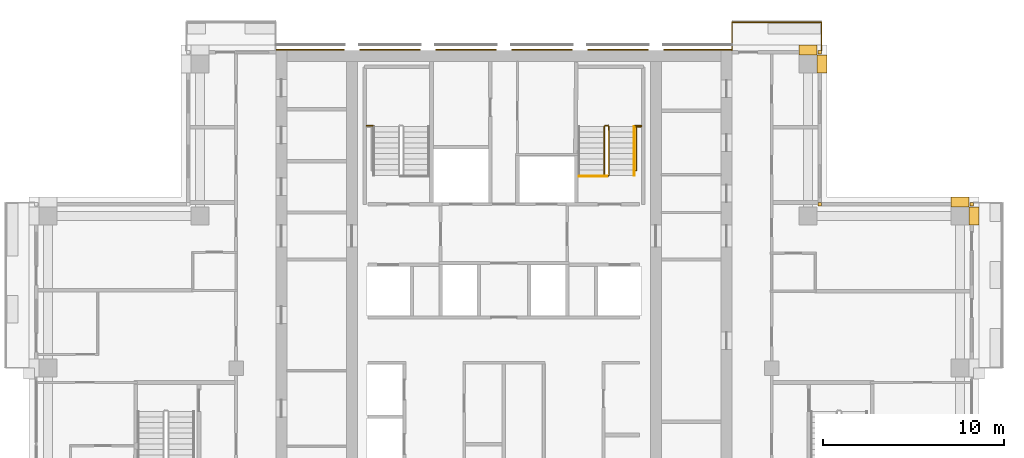
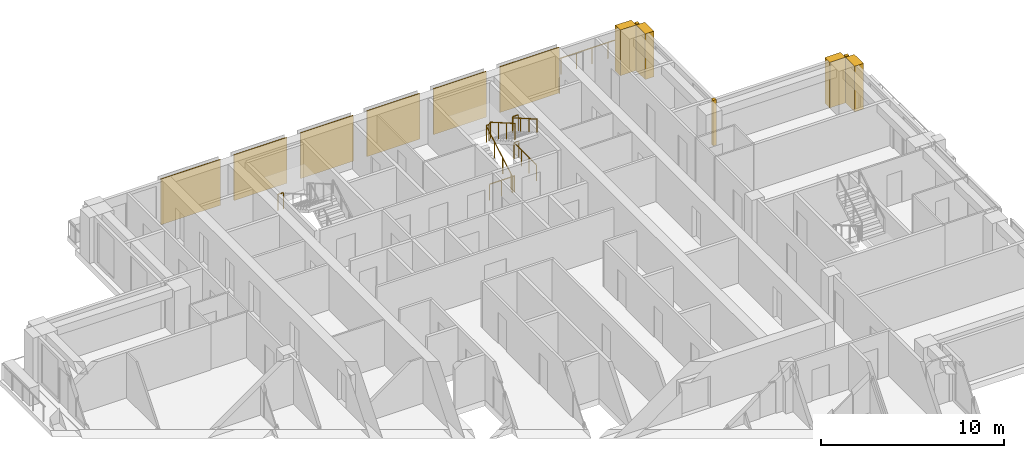
# One storey, part 16 of 16: 13 coverings, 7 railings.
"""IFC4 building model written with IfcOpenShell, lengths in metres."""

from ifc_helpers import new_model, si_unit, direction, frame, origin, origin_2d, place, context, subcontext, project, spatial, polyline, rectangle, outline, extrude, material, type_object, element, save


model = new_model("IFC4")

# Units and contexts
model_context = context("Model", 3, precision=1e-05, world=origin(), true_north=direction((0.0, 1.0)))
body_context = subcontext(model_context, "Body", "Model", "MODEL_VIEW")
ifc_project = project(units=[si_unit("LENGTHUNIT", "METRE"), si_unit("AREAUNIT", "SQUARE_METRE"), si_unit("VOLUMEUNIT", "CUBIC_METRE"), si_unit("PLANEANGLEUNIT", "RADIAN"), si_unit("MASSUNIT", "GRAM", prefix="KILO")], contexts=[model_context])

# Site, building, storey
site_placement = place(None, origin())
site = spatial("IfcSite", under=ifc_project, at=site_placement, CompositionType="ELEMENT")
building_placement = place(site_placement, origin())
building = spatial("IfcBuilding", under=site, at=building_placement, Name="Vermilion Ogive Tower", CompositionType="ELEMENT")
storey_placement = place(building_placement, frame((0.0, 0.0, 179.0)))
storey = spatial("IfcBuildingStorey", under=building, at=storey_placement, Name="L46", CompositionType="ELEMENT", Elevation=179.0)

# Railings
ifc_material_1 = material(Name="Stainless steel and glass", Category="steel")
railing_type_1 = type_object("IfcRailingType", Name="Balcony guard", PredefinedType="GUARDRAIL", material=ifc_material_1)
railing_1_placement = place(storey_placement, frame((17.550048828125, 21.75, -0.0400390625)))
element("IfcRailing", 1, at=railing_1_placement, inside=storey, type_object=railing_type_1, Name="Guard N101", PredefinedType="GUARDRAIL", context=body_context, shape_type="SweptSolid", body=[
    extrude(rectangle(XDim=0.048095703125, YDim=0.048095703125, at=origin_2d()), frame((0.0, 0.0, 1.076171875), z_axis=(0.0, 1.0, 0.0), x_axis=(-1.0, 0.0, 0.0)), (0.0, 0.0, 1.0), 1.56396484375),
    extrude(rectangle(XDim=0.048095703125, YDim=0.048095703125, at=origin_2d()), frame((0.0, 1.56396484375, 1.076171875), z_axis=(-1.0, 0.0, 0.0), x_axis=(0.0, -1.0, 0.0)), (0.0, 0.0, 1.0), 4.949951171875),
    extrude(rectangle(XDim=0.048095703125, YDim=0.048095703125, at=origin_2d()), frame((-4.949951171875, 1.56396484375, 1.076171875), z_axis=(0.0, -1.0, 0.0), x_axis=(1.0, 0.0, 0.0)), (0.0, 0.0, 1.0), 1.56396484375),
    extrude(rectangle(XDim=0.0419921875, YDim=0.0419921875, at=origin_2d()), origin(), (0.0, 0.0, 1.0), 1.052001953125),
    extrude(rectangle(XDim=0.0419921875, YDim=0.0419921875, at=origin_2d()), frame((0.0, 0.781982421875, 0.0)), (0.0, 0.0, 1.0), 1.052001953125),
    extrude(rectangle(XDim=0.0419921875, YDim=0.0419921875, at=origin_2d()), frame((0.0, 1.56396484375, 0.0)), (0.0, 0.0, 1.0), 1.052001953125),
    extrude(rectangle(XDim=0.0419921875, YDim=0.0419921875, at=origin_2d()), frame((-0.989990234375, 1.56396484375, 0.0)), (0.0, 0.0, 1.0), 1.052001953125),
    extrude(rectangle(XDim=0.0419921875, YDim=0.0419921875, at=origin_2d()), frame((-1.97998046875, 1.56396484375, 0.0)), (0.0, 0.0, 1.0), 1.052001953125),
    extrude(rectangle(XDim=0.0419921875, YDim=0.0419921875, at=origin_2d()), frame((-2.969970703125, 1.56396484375, 0.0)), (0.0, 0.0, 1.0), 1.052001953125),
    extrude(rectangle(XDim=0.0419921875, YDim=0.0419921875, at=origin_2d()), frame((-3.9599609375, 1.56396484375, 0.0)), (0.0, 0.0, 1.0), 1.052001953125),
    extrude(rectangle(XDim=0.0419921875, YDim=0.0419921875, at=origin_2d()), frame((-4.949951171875, 1.56396484375, 0.0)), (0.0, 0.0, 1.0), 1.052001953125),
    extrude(rectangle(XDim=0.0419921875, YDim=0.0419921875, at=origin_2d()), frame((-4.949951171875, 0.781982421875, 0.0)), (0.0, 0.0, 1.0), 1.052001953125),
    extrude(rectangle(XDim=0.0419921875, YDim=0.0419921875, at=origin_2d()), frame((-4.949951171875, 0.0, 0.0)), (0.0, 0.0, 1.0), 1.052001953125),
])
ifc_material_2 = material(Name="Steel S355 painted", Category="steel")
railing_type_2 = type_object("IfcRailingType", Name="Stair guard 1100", PredefinedType="GUARDRAIL", material=ifc_material_2)
railing_2_placement = place(storey_placement, frame((5.75, 14.800048828125, 0.0)))
element("IfcRailing", 2, at=railing_2_placement, inside=storey, type_object=railing_type_2, Name="L46 ST2 stair guard 4", PredefinedType="GUARDRAIL", context=body_context, shape_type="SweptSolid", body=[
    extrude(rectangle(XDim=0.048095703125, YDim=0.048095703125, at=origin_2d()), frame((0.0, 0.0, 1.076171875), z_axis=(-1.0, 0.0, 0.0), x_axis=(0.0, -1.0, 0.0)), (0.0, 0.0, 1.0), 0.14990234375),
    extrude(rectangle(XDim=0.048095703125, YDim=0.048095703125, at=origin_2d()), frame((-0.14990234375, 0.0, 1.076171875), z_axis=(-0.268277960024, 0.268277960024, 0.925231793839), x_axis=(-0.707106781187, -0.707106781187, 0.0)), (0.0, 0.0, 1.0), 0.1865234375),
    extrude(rectangle(XDim=0.048095703125, YDim=0.048095703125, at=origin_2d()), frame((-0.199951171875, 0.050048828125, 1.24853515625), z_axis=(0.0, 0.866903762492, 0.498475542607), x_axis=(-1.0, 0.0, 0.0)), (0.0, 0.0, 1.0), 3.114501953125),
    extrude(rectangle(XDim=0.048095703125, YDim=0.048095703125, at=origin_2d()), frame((-0.199951171875, 2.75, 2.80126953125), z_axis=(0.707106781187, 0.707106781187, 0.0), x_axis=(-0.707106781187, 0.707106781187, 0.0)), (0.0, 0.0, 1.0), 0.07080078125),
    extrude(rectangle(XDim=0.048095703125, YDim=0.048095703125, at=origin_2d()), frame((-0.14990234375, 2.800048828125, 2.80126953125), z_axis=(1.0, 0.0, 0.0), x_axis=(0.0, 1.0, 0.0)), (0.0, 0.0, 1.0), 0.14990234375),
    extrude(rectangle(XDim=0.048095703125, YDim=0.048095703125, at=origin_2d()), frame((0.0, 2.800048828125, 2.80126953125), z_axis=(0.268603158521, -0.268603158521, 0.925043072762), x_axis=(0.707106781187, 0.707106781187, 0.0)), (0.0, 0.0, 1.0), 0.186279296875),
    extrude(rectangle(XDim=0.048095703125, YDim=0.048095703125, at=origin_2d()), frame((0.050048828125, 2.75, 2.9736328125), z_axis=(0.0, -0.866903762492, 0.498475542607), x_axis=(1.0, 0.0, 0.0)), (0.0, 0.0, 1.0), 3.114501953125),
    extrude(rectangle(XDim=0.0419921875, YDim=0.0419921875, at=origin_2d()), origin(), (0.0, 0.0, 1.0), 1.052001953125),
    extrude(rectangle(XDim=0.0419921875, YDim=0.0419921875, at=origin_2d()), frame((-0.14990234375, 0.0, 0.0)), (0.0, 0.0, 1.0), 1.052001953125),
    extrude(rectangle(XDim=0.0419921875, YDim=0.0419921875, at=origin_2d()), frame((-0.199951171875, 0.050048828125, 0.172607421875)), (0.0, 0.0, 1.0), 1.052001953125),
    extrude(rectangle(XDim=0.0419921875, YDim=0.0419921875, at=origin_2d()), frame((-0.199951171875, 0.949951171875, 0.690185546875)), (0.0, 0.0, 1.0), 1.052001953125),
    extrude(rectangle(XDim=0.0419921875, YDim=0.0419921875, at=origin_2d()), frame((-0.199951171875, 1.85009765625, 1.20751953125)), (0.0, 0.0, 1.0), 1.052001953125),
    extrude(rectangle(XDim=0.0419921875, YDim=0.0419921875, at=origin_2d()), frame((-0.199951171875, 2.75, 1.72509765625)), (0.0, 0.0, 1.0), 1.052001953125),
    extrude(rectangle(XDim=0.0419921875, YDim=0.0419921875, at=origin_2d()), frame((-0.14990234375, 2.800048828125, 1.72509765625)), (0.0, 0.0, 1.0), 1.052001953125),
    extrude(rectangle(XDim=0.0419921875, YDim=0.0419921875, at=origin_2d()), frame((0.0, 2.800048828125, 1.72509765625)), (0.0, 0.0, 1.0), 1.052001953125),
    extrude(rectangle(XDim=0.0419921875, YDim=0.0419921875, at=origin_2d()), frame((0.050048828125, 2.75, 1.8974609375)), (0.0, 0.0, 1.0), 1.052001953125),
    extrude(rectangle(XDim=0.0419921875, YDim=0.0419921875, at=origin_2d()), frame((0.050048828125, 1.85009765625, 2.4150390625)), (0.0, 0.0, 1.0), 1.052001953125),
    extrude(rectangle(XDim=0.0419921875, YDim=0.0419921875, at=origin_2d()), frame((0.050048828125, 0.949951171875, 2.932373046875)), (0.0, 0.0, 1.0), 1.052001953125),
    extrude(rectangle(XDim=0.0419921875, YDim=0.0419921875, at=origin_2d()), frame((0.050048828125, 0.050048828125, 3.449951171875)), (0.0, 0.0, 1.0), 1.052001953125),
])
for number, where, name in (
    (3, (-7.60009765625, 17.60009765625, 1.72509765625), "L46 landing guard"),
    (4, (7.25, 17.60009765625, 1.72509765625), "L46 landing guard"),
):
    element("IfcRailing", number, at=place(storey_placement, frame(where)), inside=storey, type_object=railing_type_2, Name=name, PredefinedType="GUARDRAIL", context=body_context, shape_type="SweptSolid", body=[
        extrude(rectangle(XDim=0.048095703125, YDim=0.048095703125, at=origin_2d()), frame((0.0, 0.0, 1.076171875), z_axis=(1.0, 0.0, 0.0), x_axis=(0.0, 1.0, 0.0)), (0.0, 0.0, 1.0), 0.35009765625),
        extrude(rectangle(XDim=0.0419921875, YDim=0.0419921875, at=origin_2d()), origin(), (0.0, 0.0, 1.0), 1.052001953125),
        extrude(rectangle(XDim=0.0419921875, YDim=0.0419921875, at=origin_2d()), frame((0.35009765625, 0.0, 0.0)), (0.0, 0.0, 1.0), 1.052001953125),
    ])
railing_3_placement = place(storey_placement, frame((7.599609375, 17.54296875, 0.0)))
element("IfcRailing", 5, at=railing_3_placement, inside=storey, type_object=railing_type_2, Name="L46 stair opening guard", PredefinedType="GUARDRAIL", context=body_context, shape_type="SweptSolid", body=[
    extrude(rectangle(XDim=0.048095703125, YDim=0.048095703125, at=origin_2d()), frame((0.0, 0.0, 1.076171875), z_axis=(-1.0, 0.0, 0.0), x_axis=(0.0, -1.0, 0.0)), (0.0, 0.0, 1.0), 0.2900390625),
    extrude(rectangle(XDim=0.048095703125, YDim=0.048095703125, at=origin_2d()), frame((-0.2900390625, 0.0, 1.076171875), z_axis=(0.0, -1.0, 0.0), x_axis=(1.0, 0.0, 0.0)), (0.0, 0.0, 1.0), 2.42431640625),
    extrude(rectangle(XDim=0.0419921875, YDim=0.0419921875, at=origin_2d()), origin(), (0.0, 0.0, 1.0), 1.052001953125),
    extrude(rectangle(XDim=0.0419921875, YDim=0.0419921875, at=origin_2d()), frame((-0.2900390625, 0.0, 0.0)), (0.0, 0.0, 1.0), 1.052001953125),
    extrude(rectangle(XDim=0.0419921875, YDim=0.0419921875, at=origin_2d()), frame((-0.2900390625, -0.80810546875, 0.0)), (0.0, 0.0, 1.0), 1.052001953125),
    extrude(rectangle(XDim=0.0419921875, YDim=0.0419921875, at=origin_2d()), frame((-0.2900390625, -1.6162109375, 0.0)), (0.0, 0.0, 1.0), 1.052001953125),
    extrude(rectangle(XDim=0.0419921875, YDim=0.0419921875, at=origin_2d()), frame((-0.2900390625, -2.42431640625, 0.0)), (0.0, 0.0, 1.0), 1.052001953125),
])
railing_4_placement = place(storey_placement, frame((5.699951171875, 14.7900390625, 0.0)))
element("IfcRailing", 6, at=railing_4_placement, inside=storey, type_object=railing_type_2, Name="L46 stair opening guard", PredefinedType="GUARDRAIL", context=body_context, shape_type="SweptSolid", body=[
    extrude(rectangle(XDim=0.048095703125, YDim=0.048095703125, at=origin_2d()), frame((0.0, 0.0, 1.076171875), z_axis=(-1.0, 0.0, 0.0), x_axis=(0.0, -1.0, 0.0)), (0.0, 0.0, 1.0), 1.5400390625),
    extrude(rectangle(XDim=0.0419921875, YDim=0.0419921875, at=origin_2d()), origin(), (0.0, 0.0, 1.0), 1.052001953125),
    extrude(rectangle(XDim=0.0419921875, YDim=0.0419921875, at=origin_2d()), frame((-0.77001953125, 0.0, 0.0)), (0.0, 0.0, 1.0), 1.052001953125),
    extrude(rectangle(XDim=0.0419921875, YDim=0.0419921875, at=origin_2d()), frame((-1.5400390625, 0.0, 0.0)), (0.0, 0.0, 1.0), 1.052001953125),
])
ifc_material_3 = material(Name="Stainless steel", Category="steel")
railing_type_3 = type_object("IfcRailingType", Name="Stair handrail 900", PredefinedType="HANDRAIL", material=ifc_material_3)
railing_5_placement = place(storey_placement, frame((7.199951171875, 17.550048828125, 1.8974609375)))
element("IfcRailing", 7, at=railing_5_placement, inside=storey, type_object=railing_type_3, Name="L46 ST2 stair handrail 2", PredefinedType="HANDRAIL", context=body_context, shape_type="SweptSolid", body=[
    extrude(rectangle(XDim=0.048095703125, YDim=0.048095703125, at=origin_2d()), frame((0.0, 0.0, 0.8759765625), z_axis=(0.0, -0.866903762492, 0.498475542607), x_axis=(1.0, 0.0, 0.0)), (0.0, 0.0, 1.0), 3.114501953125),
    extrude(rectangle(XDim=0.0419921875, YDim=0.0419921875, at=origin_2d()), origin(), (0.0, 0.0, 1.0), 0.851806640625),
    extrude(rectangle(XDim=0.0419921875, YDim=0.0419921875, at=origin_2d()), frame((0.0, -0.89990234375, 0.517578125)), (0.0, 0.0, 1.0), 0.851806640625),
    extrude(rectangle(XDim=0.0419921875, YDim=0.0419921875, at=origin_2d()), frame((0.0, -1.800048828125, 1.034912109375)), (0.0, 0.0, 1.0), 0.851806640625),
    extrude(rectangle(XDim=0.0419921875, YDim=0.0419921875, at=origin_2d()), frame((0.0, -2.699951171875, 1.552490234375)), (0.0, 0.0, 1.0), 0.851806640625),
])

# Coverings
ifc_material_4 = material(Name="Stone cladding", Category="masonry")
covering_type_1 = type_object("IfcCoveringType", Name="Stone cladding panel", PredefinedType="CLADDING", material=ifc_material_4)
covering_1_placement = place(storey_placement, origin())
element("IfcCovering", 8, at=covering_1_placement, inside=storey, type_object=covering_type_1, Name="Stone cladding panel N1", PredefinedType="CLADDING", context=body_context, shape_type="SweptSolid", body=[
    extrude(outline(polyline([(-12.590087890625, 21.75), (-8.830078125, 21.75), (-8.830078125, 21.81005859375), (-12.590087890625, 21.81005859375), (-12.590087890625, 21.75)])), origin(), (0.0, 0.0, 1.0), 3.050048828125),
])
covering_2_placement = place(storey_placement, origin())
element("IfcCovering", 9, at=covering_2_placement, inside=storey, type_object=covering_type_1, Name="Stone cladding panel N2", PredefinedType="CLADDING", context=body_context, shape_type="SweptSolid", body=[
    extrude(outline(polyline([(-7.969970703125, 21.75), (-4.6298828125, 21.75), (-4.6298828125, 21.81005859375), (-7.969970703125, 21.81005859375), (-7.969970703125, 21.75)])), origin(), (0.0, 0.0, 1.0), 3.050048828125),
])
covering_3_placement = place(storey_placement, origin())
element("IfcCovering", 10, at=covering_3_placement, inside=storey, type_object=covering_type_1, Name="Stone cladding panel N3", PredefinedType="CLADDING", context=body_context, shape_type="SweptSolid", body=[
    extrude(outline(polyline([(-3.77001953125, 21.75), (-0.429931640625, 21.75), (-0.429931640625, 21.81005859375), (-3.77001953125, 21.81005859375), (-3.77001953125, 21.75)])), origin(), (0.0, 0.0, 1.0), 3.050048828125),
])
covering_4_placement = place(storey_placement, origin())
element("IfcCovering", 11, at=covering_4_placement, inside=storey, type_object=covering_type_1, Name="Stone cladding panel N4", PredefinedType="CLADDING", context=body_context, shape_type="SweptSolid", body=[
    extrude(outline(polyline([(0.429931640625, 21.75), (3.77001953125, 21.75), (3.77001953125, 21.81005859375), (0.429931640625, 21.81005859375), (0.429931640625, 21.75)])), origin(), (0.0, 0.0, 1.0), 3.050048828125),
])
covering_5_placement = place(storey_placement, origin())
element("IfcCovering", 12, at=covering_5_placement, inside=storey, type_object=covering_type_1, Name="Stone cladding panel N5", PredefinedType="CLADDING", context=body_context, shape_type="SweptSolid", body=[
    extrude(outline(polyline([(4.6298828125, 21.75), (7.969970703125, 21.75), (7.969970703125, 21.81005859375), (4.6298828125, 21.81005859375), (4.6298828125, 21.75)])), origin(), (0.0, 0.0, 1.0), 3.050048828125),
])
covering_6_placement = place(storey_placement, origin())
element("IfcCovering", 13, at=covering_6_placement, inside=storey, type_object=covering_type_1, Name="Stone cladding panel N6", PredefinedType="CLADDING", context=body_context, shape_type="SweptSolid", body=[
    extrude(outline(polyline([(8.830078125, 21.75), (12.590087890625, 21.75), (12.590087890625, 21.81005859375), (8.830078125, 21.81005859375), (8.830078125, 21.75)])), origin(), (0.0, 0.0, 1.0), 3.050048828125),
])
ifc_material_5 = material(Name="Stone cladding", Category="masonry")
covering_type_2 = type_object("IfcCoveringType", Name="Stone pier", PredefinedType="CLADDING", material=ifc_material_5)
covering_7_placement = place(storey_placement, origin())
element("IfcCovering", 14, at=covering_7_placement, inside=storey, type_object=covering_type_2, Name="Stone corner pier EE1", PredefinedType="CLADDING", context=body_context, shape_type="SweptSolid", body=[
    extrude(outline(polyline([(25.75, 13.14990234375), (25.75, 13.35009765625), (25.949951171875, 13.35009765625), (25.949951171875, 13.14990234375), (25.75, 13.14990234375)])), origin(), (0.0, 0.0, 1.0), 3.050048828125),
])
covering_8_placement = place(storey_placement, origin())
element("IfcCovering", 15, at=covering_8_placement, inside=storey, type_object=covering_type_2, Name="Stone corner pier X3E1", PredefinedType="CLADDING", context=body_context, shape_type="SweptSolid", body=[
    extrude(outline(polyline([(17.35009765625, 13.14990234375), (17.35009765625, 13.35009765625), (17.550048828125, 13.35009765625), (17.550048828125, 13.14990234375), (17.35009765625, 13.14990234375)])), origin(), (0.0, 0.0, 1.0), 3.050048828125),
])
covering_9_placement = place(storey_placement, origin())
element("IfcCovering", 16, at=covering_9_placement, inside=storey, type_object=covering_type_2, Name="Stone corner pier X4E1", PredefinedType="CLADDING", context=body_context, shape_type="SweptSolid", body=[
    extrude(outline(polyline([(17.35009765625, 21.550048828125), (17.35009765625, 21.75), (17.550048828125, 21.75), (17.550048828125, 21.550048828125), (17.35009765625, 21.550048828125)])), origin(), (0.0, 0.0, 1.0), 3.050048828125),
])
covering_10_placement = place(storey_placement, origin())
element("IfcCovering", 17, at=covering_10_placement, inside=storey, type_object=covering_type_2, Name="Stone pier P+0168+210X4", PredefinedType="CLADDING", context=body_context, shape_type="SweptSolid", body=[
    extrude(outline(polyline([(17.85009765625, 21.5), (17.85009765625, 20.5), (17.300048828125, 20.5), (17.300048828125, 21.5), (17.85009765625, 21.5)])), origin(), (0.0, 0.0, 1.0), 3.050048828125),
])
covering_11_placement = place(storey_placement, origin())
element("IfcCovering", 18, at=covering_11_placement, inside=storey, type_object=covering_type_2, Name="Stone pier P+0168+210N1", PredefinedType="CLADDING", context=body_context, shape_type="SweptSolid", body=[
    extrude(outline(polyline([(17.300048828125, 22.050048828125), (17.300048828125, 21.5), (16.300048828125, 21.5), (16.300048828125, 22.050048828125), (17.300048828125, 22.050048828125)])), origin(), (0.0, 0.0, 1.0), 3.050048828125),
])
covering_12_placement = place(storey_placement, origin())
element("IfcCovering", 19, at=covering_12_placement, inside=storey, type_object=covering_type_2, Name="Stone pier P+0252+126E", PredefinedType="CLADDING", context=body_context, shape_type="SweptSolid", body=[
    extrude(outline(polyline([(26.25, 13.10009765625), (26.25, 12.10009765625), (25.699951171875, 12.10009765625), (25.699951171875, 13.10009765625), (26.25, 13.10009765625)])), origin(), (0.0, 0.0, 1.0), 3.050048828125),
])
covering_13_placement = place(storey_placement, origin())
element("IfcCovering", 20, at=covering_13_placement, inside=storey, type_object=covering_type_2, Name="Stone pier P+0252+126X3", PredefinedType="CLADDING", context=body_context, shape_type="SweptSolid", body=[
    extrude(outline(polyline([(25.699951171875, 13.64990234375), (25.699951171875, 13.10009765625), (24.699951171875, 13.10009765625), (24.699951171875, 13.64990234375), (25.699951171875, 13.64990234375)])), origin(), (0.0, 0.0, 1.0), 3.050048828125),
])

save(model, "model.ifc")
